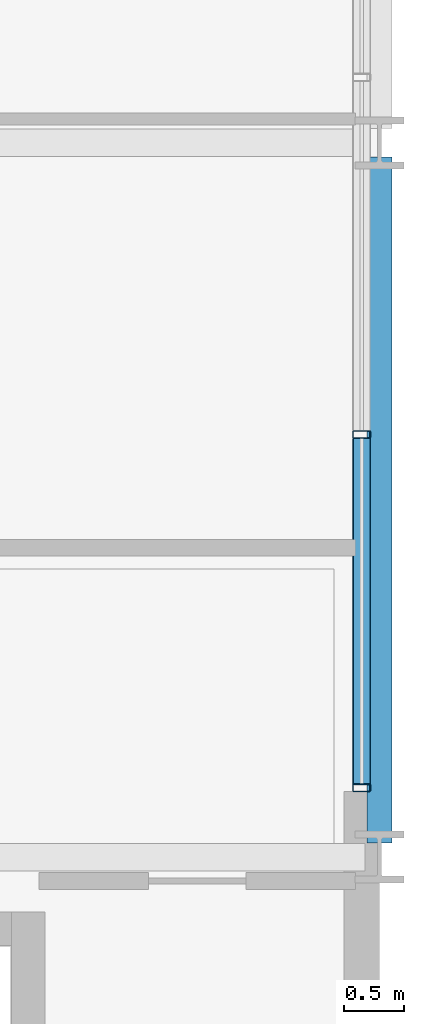
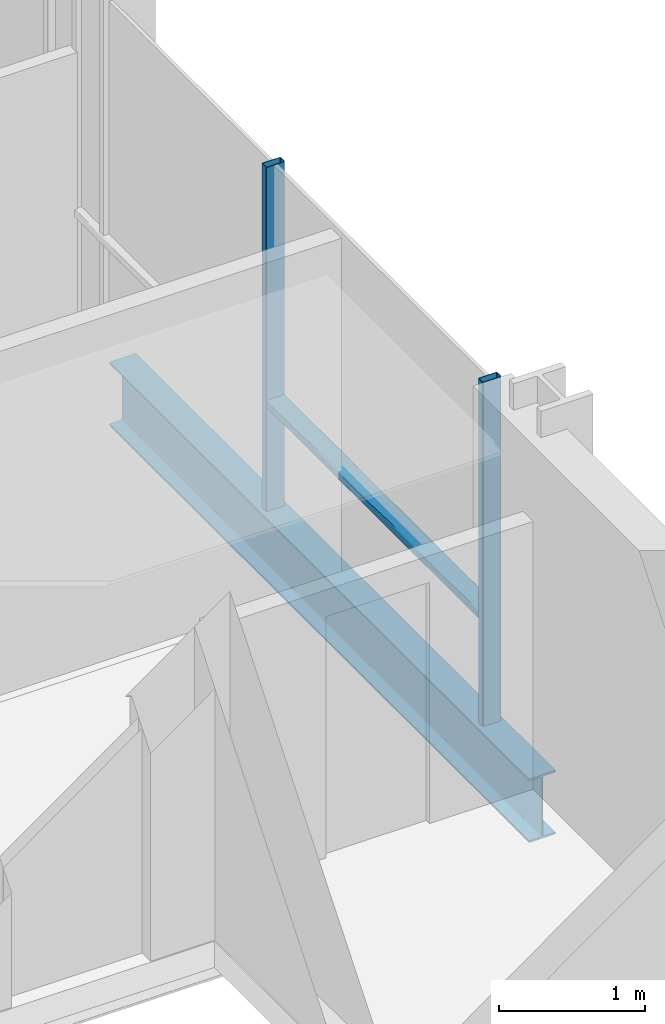
# One storey, part 15 of 40: 3 members, 1 beam, 1 element without a shape of its own.
"""IFC4 building model written with IfcOpenShell, lengths in metres."""

from ifc_helpers import new_model, si_unit, direction, frame, origin, origin_2d, place, context, subcontext, project, spatial, hollow_rectangle, i_section, extrude, material, layer, layer_set, material_profile, profile_set, type_object, element, aggregate, save


model = new_model("IFC4")

# Units and contexts
model_context = context("Model", 3, precision=1e-05, world=origin(), true_north=direction((0.0, 1.0)))
body_context = subcontext(model_context, "Body", "Model", "MODEL_VIEW")
ifc_project = project(units=[si_unit("LENGTHUNIT", "METRE"), si_unit("AREAUNIT", "SQUARE_METRE"), si_unit("VOLUMEUNIT", "CUBIC_METRE"), si_unit("PLANEANGLEUNIT", "RADIAN"), si_unit("MASSUNIT", "GRAM", prefix="KILO")], contexts=[model_context])

# Site, building, storey
site_placement = place(None, origin())
site = spatial("IfcSite", under=ifc_project, at=site_placement, CompositionType="ELEMENT")
building_placement = place(site_placement, origin())
building = spatial("IfcBuilding", under=site, at=building_placement, Name="Brevholm Reach", CompositionType="ELEMENT")
storey_placement = place(building_placement, frame((0.0, 0.0, 119.0)))
storey = spatial("IfcBuildingStorey", under=building, at=storey_placement, Name="L35", CompositionType="ELEMENT", Elevation=119.0)

# Beam
ifc_material_1 = material(Name="Structural Steel S355J2", Category="steel")
ifc_material_profile_1 = material_profile(ifc_material_1, i_section(OverallWidth=0.209228515625, OverallDepth=0.533203125, WebThickness=0.010009765625, FlangeThickness=0.015625, FilletRadius=0.0126953125, at=origin_2d()), Name="UKB 533x210x92")
ifc_profile_set_1 = profile_set([ifc_material_profile_1], Name="Structural Steel S355J2")
beam_type = type_object("IfcBeamType", Name="BM-SP533", PredefinedType="SPANDREL", material=ifc_profile_set_1)
beam_placement = place(storey_placement, frame((60.0, 10.1201171875, -0.486572265625), z_axis=(0.0, 1.0, 0.0), x_axis=(-1.0, 0.0, 0.0)))
element("IfcBeam", 1, at=beam_placement, inside=storey, type_object=beam_type, Name="L35 SP-02 Framing Beam", PredefinedType="SPANDREL", context=body_context, shape_type="SweptSolid", body=[
    extrude(i_section(OverallWidth=0.209228515625, OverallDepth=0.533203125, WebThickness=0.010009765625, FlangeThickness=0.015625, FilletRadius=0.0126953125, at=origin_2d()), origin(), (0.0, 0.0, 1.0), 5.759765625),
])

# Curtain wall, members
ifc_material_2 = material(Name="Dark Anodised Aluminium 6063-T6 and Solar-Control Glass", Category="aluminium")
ifc_layer = layer(ifc_material_2, 0.14990234375)
ifc_layer_set = layer_set([ifc_layer], Name="Dark Anodised Aluminium 6063-T6 and Solar-Control Glass")
curtain_wall_type = type_object("IfcCurtainWallType", Name="CW-01", PredefinedType="NOTDEFINED", material=ifc_layer_set)
curtain_wall_placement = place(storey_placement, origin())
curtain_wall = element("IfcCurtainWall", 2, at=curtain_wall_placement, inside=storey, type_object=curtain_wall_type, Name="L35 Curtain Wall CW-01", PredefinedType="NOTDEFINED")
ifc_material_3 = material(Name="Dark Anodised Aluminium 6063-T6", Category="aluminium")
ifc_material_profile_2 = material_profile(ifc_material_3, hollow_rectangle(XDim=0.06494140625, YDim=0.14990234375, WallThickness=0.0048828125, InnerFilletRadius=0.0048828125, OuterFilletRadius=0.010009765625, at=origin_2d()), Name="RHS 150x65x5")
ifc_profile_set_2 = profile_set([ifc_material_profile_2], Name="Dark Anodised Aluminium 6063-T6")
member_type_1 = type_object("IfcMemberType", Name="CWM-150", PredefinedType="MULLION", material=ifc_profile_set_2)
member_1_placement = place(storey_placement, frame((59.85009765625, 10.58251953125, 0.0), z_axis=(0.0, 0.0, 1.0), x_axis=(0.0, 1.0, 0.0)))
member_1 = element("IfcMember", 3, at=member_1_placement, type_object=member_type_1, Name="CM-150 Mullion 1", PredefinedType="MULLION", context=body_context, shape_type="SweptSolid", body=[
    extrude(hollow_rectangle(XDim=0.06494140625, YDim=0.14990234375, WallThickness=0.0048828125, InnerFilletRadius=0.0048828125, OuterFilletRadius=0.010009765625, at=origin_2d()), origin(), (0.0, 0.0, 1.0), 2.8798828125),
])
member_2_placement = place(storey_placement, frame((59.85009765625, 13.550048828125, 0.0), z_axis=(0.0, 0.0, 1.0), x_axis=(0.0, 1.0, 0.0)))
member_2 = element("IfcMember", 4, at=member_2_placement, type_object=member_type_1, Name="CM-150 Mullion 2", PredefinedType="MULLION", context=body_context, shape_type="SweptSolid", body=[
    extrude(hollow_rectangle(XDim=0.06494140625, YDim=0.14990234375, WallThickness=0.0048828125, InnerFilletRadius=0.0048828125, OuterFilletRadius=0.010009765625, at=origin_2d()), origin(), (0.0, 0.0, 1.0), 2.8798828125),
])
ifc_material_4 = material(Name="Dark Anodised Aluminium 6063-T6", Category="aluminium")
ifc_material_profile_3 = material_profile(ifc_material_4, hollow_rectangle(XDim=0.06494140625, YDim=0.14990234375, WallThickness=0.0048828125, InnerFilletRadius=0.0048828125, OuterFilletRadius=0.010009765625, at=origin_2d()), Name="RHS 150x65x5")
ifc_profile_set_3 = profile_set([ifc_material_profile_3], Name="Dark Anodised Aluminium 6063-T6")
member_type_2 = type_object("IfcMemberType", Name="CWT-150", PredefinedType="NOTDEFINED", material=ifc_profile_set_3)
member_3_placement = place(storey_placement, frame((59.85009765625, 10.614990234375, 0.89990234375), z_axis=(0.0, 1.0, 0.0), x_axis=(0.0, 0.0, 1.0)))
member_3 = element("IfcMember", 5, at=member_3_placement, type_object=member_type_2, Name="CT-150 Transom 1.1", ObjectType="TRANSOM", PredefinedType="USERDEFINED", context=body_context, shape_type="SweptSolid", body=[
    extrude(hollow_rectangle(XDim=0.06494140625, YDim=0.14990234375, WallThickness=0.0048828125, InnerFilletRadius=0.0048828125, OuterFilletRadius=0.010009765625, at=origin_2d()), origin(), (0.0, 0.0, 1.0), 2.902587890625),
])
aggregate(curtain_wall, [member_1, member_2, member_3])

save(model, "model.ifc")
